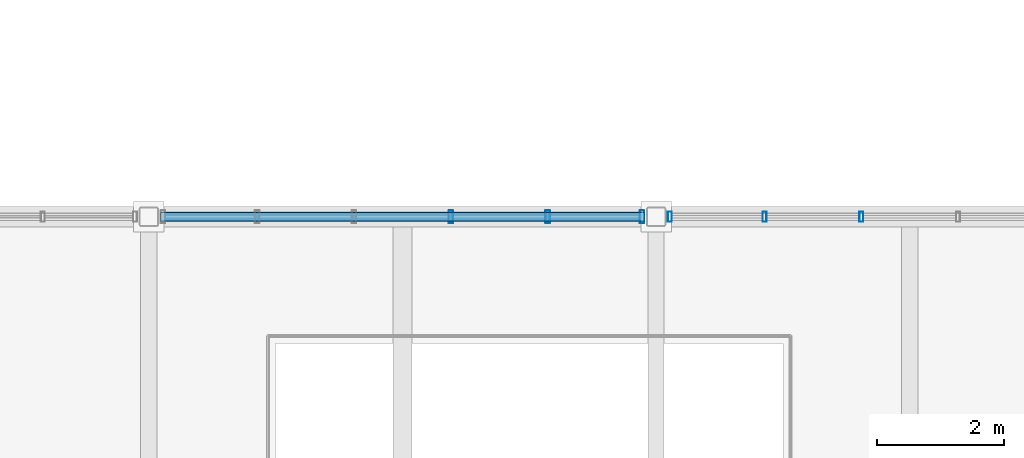
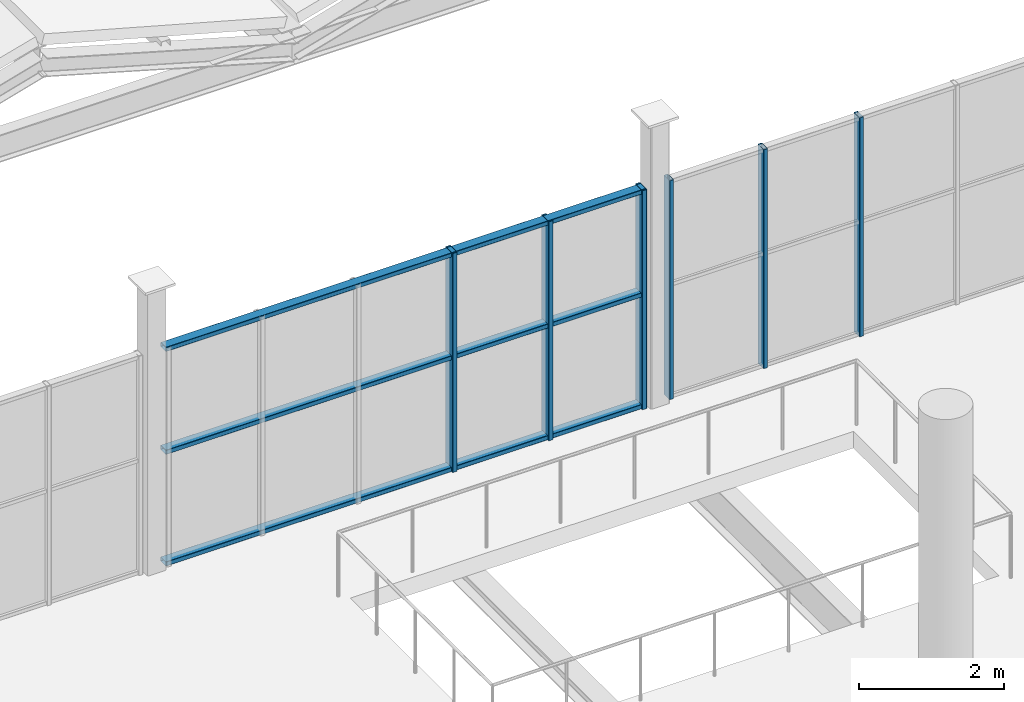
# One storey, part 24 of 114: 9 members, 2 elements without a shape of their own.
"""IFC4 building model written with IfcOpenShell, lengths in metres."""

import ifcopenshell
import ifcopenshell.guid

model = None  # the IFC model being written
_history = None  # IfcOwnerHistory: only IFC2X3 demands one
_inside = {}  # id of a spatial element -> (the spatial element, [elements in it])
_under = {}  # id of a project, library or spatial element -> (it, [spatial elements below it])
_declared = {}  # id of a project -> (the project, [libraries it declares])
_typed = {}  # id of a type object -> (the type object, [elements of that type])
_made_of = {}  # id of a material, layer set ... -> (it, [elements and type objects made of it])


def new_model(schema):
    """Start an empty IFC model of exactly this schema.

    Asked for "IFC4X3", IfcOpenShell would pick the latest addendum, in which some entities
    have other attributes; the version numbers below select the first issue.
    IFC2X3 requires an IfcOwnerHistory on every rooted entity: one is made here for all.
    """
    global model, _history
    if schema == "IFC4X3":
        model = ifcopenshell.file(schema_version=(4, 3, 0, 0))
    else:
        model = ifcopenshell.file(schema=schema)
    _inside.clear()
    _under.clear()
    _declared.clear()
    _typed.clear()
    _made_of.clear()
    _history = None
    if model.schema == "IFC2X3":
        org = make("IfcOrganization", Name="unknown")
        user = make(
            "IfcPersonAndOrganization",
            ThePerson=make("IfcPerson", FamilyName="unknown"),
            TheOrganization=org,
        )
        app = make(
            "IfcApplication",
            ApplicationDeveloper=org,
            Version="unknown",
            ApplicationFullName="unknown",
            ApplicationIdentifier="unknown",
        )
        _history = make(
            "IfcOwnerHistory",
            OwningUser=user,
            OwningApplication=app,
            ChangeAction="ADDED",
            CreationDate=0,
        )
    return model


def make(cls, **values):
    """One entity of the class cls with the attributes given. An attribute that is None is left unset."""
    return model.create_entity(
        cls, **{name: value for name, value in values.items() if value is not None}
    )


def rooted(cls, **values):
    """An entity with a GlobalId (a new one), such as an element, a storey or a relation."""
    return make(cls, GlobalId=ifcopenshell.guid.new(), OwnerHistory=_history, **values)


def si_unit(unit_type, name, prefix=None):
    """IfcSIUnit, for example si_unit("LENGTHUNIT", "METRE", prefix="MILLI")."""
    return make("IfcSIUnit", UnitType=unit_type, Prefix=prefix, Name=name)


def assignment(units):
    """IfcUnitAssignment: the units of a project."""
    return None if units is None else make("IfcUnitAssignment", Units=units)


def point(xyz):
    """IfcCartesianPoint."""
    return None if xyz is None else make("IfcCartesianPoint", Coordinates=xyz)


def direction(xyz):
    """IfcDirection."""
    return None if xyz is None else make("IfcDirection", DirectionRatios=xyz)


def frame(location, z_axis=None, x_axis=None):
    """IfcAxis2Placement3D, a coordinate frame: its origin and axes. An axis left out is left unset."""
    return make(
        "IfcAxis2Placement3D",
        Location=point(location),
        Axis=direction(z_axis),
        RefDirection=direction(x_axis),
    )


def frame_2d(location, x_axis=None):
    """IfcAxis2Placement2D, a coordinate frame in the plane: its origin and x axis."""
    return make(
        "IfcAxis2Placement2D", Location=point(location), RefDirection=direction(x_axis)
    )


def origin():
    """The frame at (0, 0, 0) with its axes left unset."""
    return frame((0.0, 0.0, 0.0))


def origin_2d():
    """The frame at (0, 0) in the plane with its x axis left unset."""
    return frame_2d((0.0, 0.0))


def place(relative_to, where):
    """IfcLocalPlacement: puts the frame where relative to a parent placement (None: the world)."""
    return make(
        "IfcLocalPlacement", PlacementRelTo=relative_to, RelativePlacement=where
    )


def context(
    kind, dimensions, precision=None, world=None, true_north=None, identifier=None
):
    """IfcGeometricRepresentationContext, for example the 3D "Model" context."""
    return make(
        "IfcGeometricRepresentationContext",
        ContextIdentifier=identifier,
        ContextType=kind,
        CoordinateSpaceDimension=dimensions,
        Precision=precision,
        WorldCoordinateSystem=world,
        TrueNorth=true_north,
    )


def subcontext(parent, identifier, kind, view, scale=None):
    """IfcGeometricRepresentationSubContext, for example "Body" below "Model"."""
    return make(
        "IfcGeometricRepresentationSubContext",
        ContextIdentifier=identifier,
        ContextType=kind,
        ParentContext=parent,
        TargetScale=scale,
        TargetView=view,
    )


def project(units=None, contexts=None):
    """IfcProject with its units and contexts."""
    return rooted(
        "IfcProject",
        Name="project",
        RepresentationContexts=contexts,
        UnitsInContext=assignment(units),
    )


def spatial(cls, under=None, at=None, **own):
    """A site, building, storey or space (cls), placed at a placement, below another one or the project."""
    s = rooted(cls, ObjectPlacement=at, **own)
    if under is not None:
        _under.setdefault(under.id(), (under, []))[1].append(s)
    return s


def profile(cls, at=None, kind="AREA", **sizes):
    """A parametric profile (cls). Its sizes go by their IFC names, for example OverallWidth=200.0."""
    return make(cls, ProfileType=kind, Position=at, **sizes)


def hollow_rectangle(**sizes):
    """IfcRectangleHollowProfileDef."""
    return profile("IfcRectangleHollowProfileDef", **sizes)


def extrude(swept, where, along, depth):
    """IfcExtrudedAreaSolid: the profile swept, set in the frame where, extruded along a direction by depth."""
    return make(
        "IfcExtrudedAreaSolid",
        SweptArea=swept,
        Position=where,
        ExtrudedDirection=direction(along),
        Depth=depth,
    )


def shape(context_of_items, identifier, shape_type, items):
    """IfcShapeRepresentation: the items that make up one representation, for example the "Body"."""
    return make(
        "IfcShapeRepresentation",
        ContextOfItems=context_of_items,
        RepresentationIdentifier=identifier,
        RepresentationType=shape_type,
        Items=items,
    )


def material(Name=None, Category=None):
    """IfcMaterial."""
    return make("IfcMaterial", Name=Name, Category=Category)


def material_profile(
    of_material, cross_section, Name=None, Category=None, Priority=None
):
    """IfcMaterialProfile: a cross section and its material."""
    return make(
        "IfcMaterialProfile",
        Name=Name,
        Material=of_material,
        Profile=cross_section,
        Priority=Priority,
        Category=Category,
    )


def profile_set(profiles, Name=None, composite=None):
    """IfcMaterialProfileSet."""
    return make(
        "IfcMaterialProfileSet",
        Name=Name,
        MaterialProfiles=profiles,
        CompositeProfile=composite,
    )


def made_of(thing, what):
    """Note that an element or type object is made of a material, layer set ...; save() writes the relation."""
    if what is not None:
        _made_of.setdefault(what.id(), (what, []))[1].append(thing)
    return thing


def type_object(cls, material=None, **own):
    """A type object (cls), such as IfcWallType, which elements share."""
    return made_of(rooted(cls, **own), material)


def element(
    cls,
    number,
    at=None,
    inside=None,
    cuts=None,
    type_object=None,
    material=None,
    context=None,
    identifier="Body",
    shape_type=None,
    held_by="IfcProductDefinitionShape",
    body=None,
    shapes=None,
    **own,
):
    """One element of the class cls, such as IfcWall. Its Tag is "e" and its number.

    at: its placement. inside: the storey or other place that contains it. cuts: it is an
    opening in that element (IfcRelVoidsElement). A single representation is given by context,
    identifier, shape_type and body (its items); several are given by shapes. held_by: the class
    of the entity that holds the representations. save() writes the other relations.
    """
    e = rooted(cls, Tag="e%d" % number, ObjectPlacement=at, **own)
    if body is not None:
        shapes = [shape(context, identifier, shape_type, body)]
    if shapes is not None:
        e.Representation = make(held_by, Representations=shapes)
    if inside is not None:
        _inside.setdefault(inside.id(), (inside, []))[1].append(e)
    if cuts is not None:
        rooted(
            "IfcRelVoidsElement", RelatingBuildingElement=cuts, RelatedOpeningElement=e
        )
    if type_object is not None:
        _typed.setdefault(type_object.id(), (type_object, []))[1].append(e)
    return made_of(e, material)


def aggregate(whole, parts):
    """IfcRelAggregates: a whole, such as a stair, and the parts it consists of."""
    return rooted("IfcRelAggregates", RelatingObject=whole, RelatedObjects=parts)


def save(model, path):
    """Write the relations noted so far, then the file.

    IfcRelAggregates (storeys below a building ...), IfcRelContainedInSpatialStructure (elements
    in a storey), IfcRelDefinesByType, IfcRelAssociatesMaterial and IfcRelDeclares: one each for
    every whole, place, type object, material and project.
    """
    for whole, parts in _under.values():
        aggregate(whole, parts)
    for where, things in _inside.values():
        rooted(
            "IfcRelContainedInSpatialStructure",
            RelatedElements=things,
            RelatingStructure=where,
        )
    for kind, things in _typed.values():
        rooted("IfcRelDefinesByType", RelatedObjects=things, RelatingType=kind)
    for what, things in _made_of.values():
        rooted("IfcRelAssociatesMaterial", RelatedObjects=things, RelatingMaterial=what)
    for by, libraries in _declared.values():
        rooted("IfcRelDeclares", RelatingContext=by, RelatedDefinitions=libraries)
    model.write(path)


model = new_model("IFC4")

# Units and contexts
model_context = context("Model", 3, precision=1e-05, world=origin(), true_north=direction((0.0, 1.0)))
body_context = subcontext(model_context, "Body", "Model", "MODEL_VIEW")
ifc_project = project(units=[si_unit("LENGTHUNIT", "METRE"), si_unit("AREAUNIT", "SQUARE_METRE"), si_unit("VOLUMEUNIT", "CUBIC_METRE"), si_unit("PLANEANGLEUNIT", "RADIAN"), si_unit("MASSUNIT", "GRAM", prefix="KILO")], contexts=[model_context])

# Site, building, storey
site_placement = place(None, origin())
site = spatial("IfcSite", under=ifc_project, at=site_placement, CompositionType="ELEMENT")
building_placement = place(site_placement, origin())
building = spatial("IfcBuilding", under=site, at=building_placement, Name="Verrall Gate Interchange", CompositionType="ELEMENT")
storey_placement = place(building_placement, frame((0.0, 0.0, 6.60009765625)))
storey = spatial("IfcBuildingStorey", under=building, at=storey_placement, Name="L02", CompositionType="ELEMENT", Elevation=6.60009765625)

# Curtain wall, members
ifc_material_1 = material(Name="Thermally Broken Anodized Aluminium Curtain Wall Framing", Category="aluminium")
curtain_wall_type = type_object("IfcCurtainWallType", Name="CW-21 Unitized Curtain Wall 7631x3680", PredefinedType="NOTDEFINED", material=ifc_material_1)
curtain_wall_1_placement = place(storey_placement, origin())
curtain_wall_1 = element("IfcCurtainWall", 1, at=curtain_wall_1_placement, inside=storey, type_object=curtain_wall_type, Name="L02 Unitized Curtain Wall CW-L02-082", PredefinedType="NOTDEFINED")
ifc_material_2 = material(Name="Thermally Broken Anodized Aluminium Curtain Wall Framing", Category="aluminium")
ifc_material_profile_1 = material_profile(ifc_material_2, hollow_rectangle(XDim=0.06494140625, YDim=0.159912109375, WallThickness=0.00390625, InnerFilletRadius=0.00390625, OuterFilletRadius=0.008056640625, at=origin_2d()), Name="CWM160x65x4")
ifc_profile_set_1 = profile_set([ifc_material_profile_1], Name="Thermally Broken Anodized Aluminium Curtain Wall Framing")
member_type_1 = type_object("IfcMemberType", Name="CM-01 Curtain Mullion CWM160x65x4", PredefinedType="MULLION", material=ifc_profile_set_1)
member_1_placement = place(storey_placement, frame((55.23681640625, 56.0, 0.0), z_axis=(0.0, 0.0, 1.0), x_axis=(-1.0, 0.0, 0.0)))
member_1 = element("IfcMember", 2, at=member_1_placement, type_object=member_type_1, Name="CW-L02-082 Mullion 4", PredefinedType="MULLION", context=body_context, shape_type="SweptSolid", body=[
    extrude(hollow_rectangle(XDim=0.06494140625, YDim=0.159912109375, WallThickness=0.00390625, InnerFilletRadius=0.00390625, OuterFilletRadius=0.008056640625, at=origin_2d()), origin(), (0.0, 0.0, 1.0), 3.679931640625),
])
member_2_placement = place(storey_placement, frame((53.710693359375, 56.0, 0.0), z_axis=(0.0, 0.0, 1.0), x_axis=(-1.0, 0.0, 0.0)))
member_2 = element("IfcMember", 3, at=member_2_placement, type_object=member_type_1, Name="CW-L02-082 Mullion 5", PredefinedType="MULLION", context=body_context, shape_type="SweptSolid", body=[
    extrude(hollow_rectangle(XDim=0.06494140625, YDim=0.159912109375, WallThickness=0.00390625, InnerFilletRadius=0.00390625, OuterFilletRadius=0.008056640625, at=origin_2d()), origin(), (0.0, 0.0, 1.0), 3.679931640625),
])
member_3_placement = place(storey_placement, frame((52.217041015625, 56.0, 0.0), z_axis=(0.0, 0.0, 1.0), x_axis=(-1.0, 0.0, 0.0)))
member_3 = element("IfcMember", 4, at=member_3_placement, type_object=member_type_1, Name="CW-L02-082 Mullion 6", PredefinedType="MULLION", context=body_context, shape_type="SweptSolid", body=[
    extrude(hollow_rectangle(XDim=0.06494140625, YDim=0.159912109375, WallThickness=0.00390625, InnerFilletRadius=0.00390625, OuterFilletRadius=0.008056640625, at=origin_2d()), origin(), (0.0, 0.0, 1.0), 3.679931640625),
])
aggregate(curtain_wall_1, [member_1, member_2, member_3])

curtain_wall_2_placement = place(storey_placement, origin())
curtain_wall_2 = element("IfcCurtainWall", 5, at=curtain_wall_2_placement, inside=storey, type_object=curtain_wall_type, Name="L02 Unitized Curtain Wall CW-L02-083", PredefinedType="NOTDEFINED")
ifc_material_3 = material(Name="Thermally Broken Anodized Aluminium Curtain Wall Framing", Category="aluminium")
ifc_material_profile_2 = material_profile(ifc_material_3, hollow_rectangle(XDim=0.074951171875, YDim=0.199951171875, WallThickness=0.0048828125, InnerFilletRadius=0.0048828125, OuterFilletRadius=0.010009765625, at=origin_2d()), Name="CWM200x75x5")
ifc_profile_set_2 = profile_set([ifc_material_profile_2], Name="Thermally Broken Anodized Aluminium Curtain Wall Framing")
member_type_2 = type_object("IfcMemberType", Name="CM-02 Curtain Mullion CWM200x75x5", PredefinedType="MULLION", material=ifc_profile_set_2)
member_4_placement = place(storey_placement, frame((51.778076171875, 56.0, 0.0), z_axis=(0.0, 0.0, 1.0), x_axis=(-1.0, 0.0, 0.0)))
member_4 = element("IfcMember", 6, at=member_4_placement, type_object=member_type_2, Name="CW-L02-083 Mullion 1", PredefinedType="MULLION", context=body_context, shape_type="SweptSolid", body=[
    extrude(hollow_rectangle(XDim=0.074951171875, YDim=0.199951171875, WallThickness=0.0048828125, InnerFilletRadius=0.0048828125, OuterFilletRadius=0.010009765625, at=origin_2d()), origin(), (0.0, 0.0, 1.0), 3.679931640625),
])
member_5_placement = place(storey_placement, frame((50.289306640625, 56.0, 0.0), z_axis=(0.0, 0.0, 1.0), x_axis=(-1.0, 0.0, 0.0)))
member_5 = element("IfcMember", 7, at=member_5_placement, type_object=member_type_2, Name="CW-L02-083 Mullion 2", PredefinedType="MULLION", context=body_context, shape_type="SweptSolid", body=[
    extrude(hollow_rectangle(XDim=0.074951171875, YDim=0.199951171875, WallThickness=0.0048828125, InnerFilletRadius=0.0048828125, OuterFilletRadius=0.010009765625, at=origin_2d()), origin(), (0.0, 0.0, 1.0), 3.679931640625),
])
member_6_placement = place(storey_placement, frame((48.76318359375, 56.0, 0.0), z_axis=(0.0, 0.0, 1.0), x_axis=(-1.0, 0.0, 0.0)))
member_6 = element("IfcMember", 8, at=member_6_placement, type_object=member_type_2, Name="CW-L02-083 Mullion 3", PredefinedType="MULLION", context=body_context, shape_type="SweptSolid", body=[
    extrude(hollow_rectangle(XDim=0.074951171875, YDim=0.199951171875, WallThickness=0.0048828125, InnerFilletRadius=0.0048828125, OuterFilletRadius=0.010009765625, at=origin_2d()), origin(), (0.0, 0.0, 1.0), 3.679931640625),
])
ifc_material_4 = material(Name="Thermally Broken Anodized Aluminium Curtain Wall Framing", Category="aluminium")
ifc_material_profile_3 = material_profile(ifc_material_4, hollow_rectangle(XDim=0.14990234375, YDim=0.074951171875, WallThickness=0.00439453125, InnerFilletRadius=0.00439453125, OuterFilletRadius=0.009033203125, at=origin_2d()), Name="CWT150x75x4.5")
ifc_profile_set_3 = profile_set([ifc_material_profile_3], Name="Thermally Broken Anodized Aluminium Curtain Wall Framing")
member_type_3 = type_object("IfcMemberType", Name="CT-02 Curtain Transom CWT150x75x4.5", PredefinedType="USERDEFINED", material=ifc_profile_set_3)
member_7_placement = place(storey_placement, frame((51.8154296875, 56.0, 0.037353515625), z_axis=(-1.0, 0.0, 0.0), x_axis=(0.0, -1.0, 0.0)))
member_7 = element("IfcMember", 9, at=member_7_placement, type_object=member_type_3, Name="CW-L02-083 Transom 1", ObjectType="TRANSOM", PredefinedType="USERDEFINED", context=body_context, shape_type="SweptSolid", body=[
    extrude(hollow_rectangle(XDim=0.14990234375, YDim=0.074951171875, WallThickness=0.00439453125, InnerFilletRadius=0.00439453125, OuterFilletRadius=0.009033203125, at=origin_2d()), origin(), (0.0, 0.0, 1.0), 7.630859375),
])
member_8_placement = place(storey_placement, frame((51.8154296875, 56.0, 1.91357421875), z_axis=(-1.0, 0.0, 0.0), x_axis=(0.0, -1.0, 0.0)))
member_8 = element("IfcMember", 10, at=member_8_placement, type_object=member_type_3, Name="CW-L02-083 Transom 2", ObjectType="TRANSOM", PredefinedType="USERDEFINED", context=body_context, shape_type="SweptSolid", body=[
    extrude(hollow_rectangle(XDim=0.14990234375, YDim=0.074951171875, WallThickness=0.00439453125, InnerFilletRadius=0.00439453125, OuterFilletRadius=0.009033203125, at=origin_2d()), origin(), (0.0, 0.0, 1.0), 7.630859375),
])
member_9_placement = place(storey_placement, frame((51.8154296875, 56.0, 3.642333984375), z_axis=(-1.0, 0.0, 0.0), x_axis=(0.0, -1.0, 0.0)))
member_9 = element("IfcMember", 11, at=member_9_placement, type_object=member_type_3, Name="CW-L02-083 Transom 3", ObjectType="TRANSOM", PredefinedType="USERDEFINED", context=body_context, shape_type="SweptSolid", body=[
    extrude(hollow_rectangle(XDim=0.14990234375, YDim=0.074951171875, WallThickness=0.00439453125, InnerFilletRadius=0.00439453125, OuterFilletRadius=0.009033203125, at=origin_2d()), origin(), (0.0, 0.0, 1.0), 7.630859375),
])
aggregate(curtain_wall_2, [member_4, member_5, member_6, member_7, member_8, member_9])

save(model, "model.ifc")
